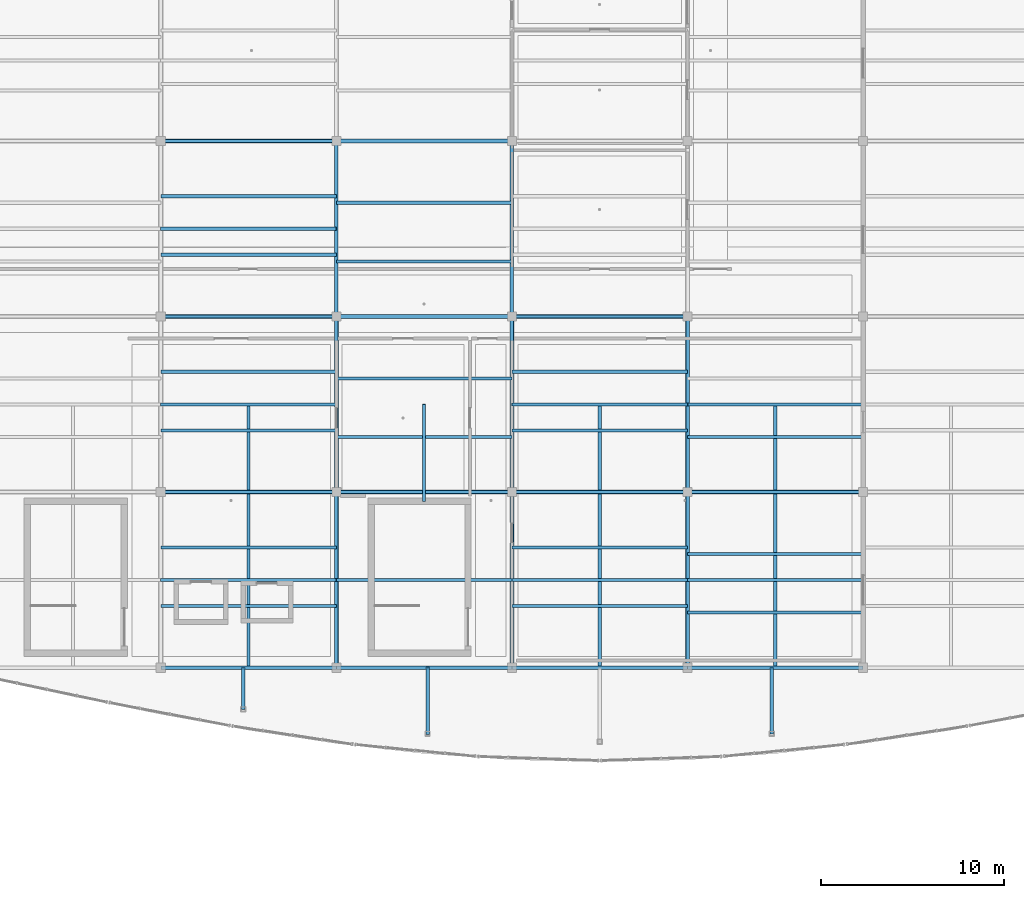
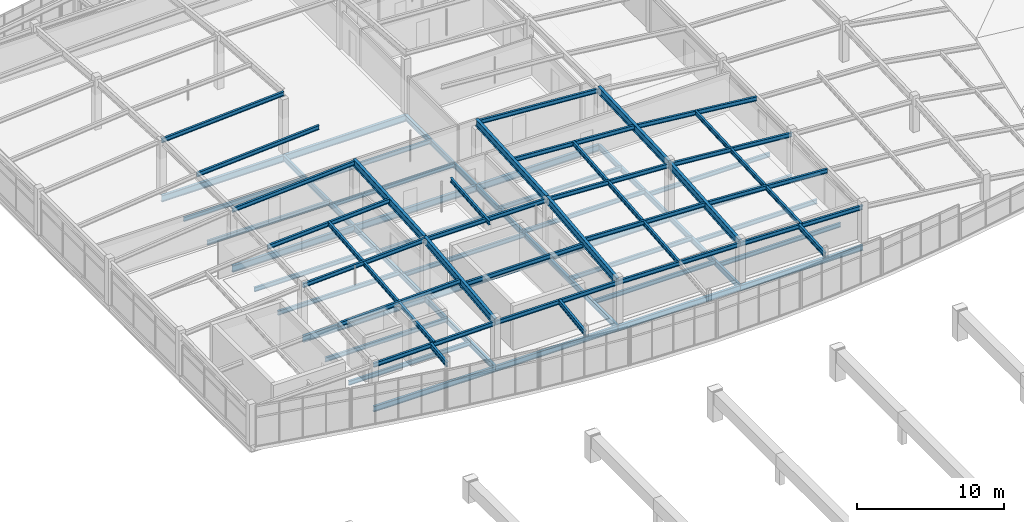
# One storey, part 39 of 65: 44 beams, 26 members.
"""IFC4 building model written with IfcOpenShell, lengths in metres."""

from ifc_helpers import new_model, si_unit, direction, frame, origin, origin_2d, place, context, subcontext, project, spatial, i_section, extrude, material, material_profile, profile_set, type_object, element, save


model = new_model("IFC4")

# Units and contexts
model_context = context("Model", 3, precision=1e-05, world=origin(), true_north=direction((0.0, 1.0)))
body_context = subcontext(model_context, "Body", "Model", "MODEL_VIEW")
ifc_project = project(units=[si_unit("LENGTHUNIT", "METRE"), si_unit("AREAUNIT", "SQUARE_METRE"), si_unit("VOLUMEUNIT", "CUBIC_METRE"), si_unit("PLANEANGLEUNIT", "RADIAN"), si_unit("MASSUNIT", "GRAM", prefix="KILO")], contexts=[model_context])

# Site, building, storey
site_placement = place(None, origin())
site = spatial("IfcSite", under=ifc_project, at=site_placement, CompositionType="ELEMENT")
building_placement = place(site_placement, origin())
building = spatial("IfcBuilding", under=site, at=building_placement, Name="Chalmorin Arch Market", CompositionType="ELEMENT")
storey_placement = place(building_placement, frame((0.0, 0.0, 14.10009765625)))
storey = spatial("IfcBuildingStorey", under=building, at=storey_placement, Name="L03", CompositionType="ELEMENT", Elevation=14.10009765625)

# Beams
ifc_material = material(Name="Steel A992 Grade 50", Category="steel")
ifc_material_profile_1 = material_profile(ifc_material, i_section(OverallWidth=0.19091796875, OverallDepth=0.45703125, WebThickness=0.009033203125, FlangeThickness=0.014404296875, FilletRadius=0.02001953125, at=origin_2d()), Name="W18X50")
ifc_profile_set_1 = profile_set([ifc_material_profile_1], Name="Steel A992 Grade 50")
beam_type_1 = type_object("IfcBeamType", Name="FloorSteelBeam-W18X50", PredefinedType="BEAM", material=ifc_profile_set_1)
beam_1_placement = place(storey_placement, frame((67.199951171875, 72.0, -0.510498046875), z_axis=(0.0, 1.0, 0.0), x_axis=(-1.0, 0.0, 0.0)))
element("IfcBeam", 1, at=beam_1_placement, inside=storey, type_object=beam_type_1, Name="BM-W18B-1395", PredefinedType="BEAM", context=body_context, shape_type="SweptSolid", body=[
    extrude(i_section(OverallWidth=0.19091796875, OverallDepth=0.45703125, WebThickness=0.009033203125, FlangeThickness=0.014404296875, FilletRadius=0.02001953125, at=origin_2d()), origin(), (0.0, 0.0, 1.0), 9.60009765625),
])
beam_2_placement = place(storey_placement, frame((67.199951171875, 81.60009765625, -0.470703125), z_axis=(0.0, 1.0, 0.0), x_axis=(-1.0, 0.0, 0.0)))
element("IfcBeam", 2, at=beam_2_placement, inside=storey, type_object=beam_type_1, Name="BM-W18B-1397", PredefinedType="BEAM", context=body_context, shape_type="SweptSolid", body=[
    extrude(i_section(OverallWidth=0.19091796875, OverallDepth=0.45703125, WebThickness=0.009033203125, FlangeThickness=0.014404296875, FilletRadius=0.02001953125, at=origin_2d()), origin(), (0.0, 0.0, 1.0), 9.599853515625),
])
for number, where, z_axis, x_axis, name in (
    (3, (67.199951171875, 91.199951171875, -0.470703125), (0.0, 1.0, 0.0), (-1.0, 0.0, 0.0), "BM-W18B-1399"),
    (4, (76.800048828125, 72.0, -0.510498046875), (0.0, 1.0, 0.0), (-1.0, 0.0, 0.0), "BM-W18B-1406"),
):
    element("IfcBeam", number, at=place(storey_placement, frame(where, z_axis=z_axis, x_axis=x_axis)), inside=storey, type_object=beam_type_1, Name=name, PredefinedType="BEAM", context=body_context, shape_type="SweptSolid", body=[
        extrude(i_section(OverallWidth=0.19091796875, OverallDepth=0.45703125, WebThickness=0.009033203125, FlangeThickness=0.014404296875, FilletRadius=0.02001953125, at=origin_2d()), origin(), (0.0, 0.0, 1.0), 9.60009765625),
    ])
beam_3_placement = place(storey_placement, frame((76.800048828125, 81.60009765625, -0.470703125), z_axis=(0.0, 1.0, 0.0), x_axis=(-1.0, 0.0, 0.0)))
element("IfcBeam", 5, at=beam_3_placement, inside=storey, type_object=beam_type_1, Name="BM-W18B-1408", PredefinedType="BEAM", context=body_context, shape_type="SweptSolid", body=[
    extrude(i_section(OverallWidth=0.19091796875, OverallDepth=0.45703125, WebThickness=0.009033203125, FlangeThickness=0.014404296875, FilletRadius=0.02001953125, at=origin_2d()), origin(), (0.0, 0.0, 1.0), 9.599853515625),
])
for number, where, z_axis, x_axis, name in (
    (6, (76.800048828125, 91.199951171875, -0.470703125), (0.0, 1.0, 0.0), (-1.0, 0.0, 0.0), "BM-W18B-1410"),
    (7, (86.39990234375, 72.0, -0.510498046875), (0.0, 1.0, 0.0), (-1.0, 0.0, 0.0), "BM-W18B-1417"),
):
    element("IfcBeam", number, at=place(storey_placement, frame(where, z_axis=z_axis, x_axis=x_axis)), inside=storey, type_object=beam_type_1, Name=name, PredefinedType="BEAM", context=body_context, shape_type="SweptSolid", body=[
        extrude(i_section(OverallWidth=0.19091796875, OverallDepth=0.45703125, WebThickness=0.009033203125, FlangeThickness=0.014404296875, FilletRadius=0.02001953125, at=origin_2d()), origin(), (0.0, 0.0, 1.0), 9.60009765625),
    ])
beam_4_placement = place(storey_placement, frame((86.39990234375, 81.60009765625, -0.470703125), z_axis=(0.0, 1.0, 0.0), x_axis=(-1.0, 0.0, 0.0)))
element("IfcBeam", 8, at=beam_4_placement, inside=storey, type_object=beam_type_1, Name="BM-W18B-1419", PredefinedType="BEAM", context=body_context, shape_type="SweptSolid", body=[
    extrude(i_section(OverallWidth=0.19091796875, OverallDepth=0.45703125, WebThickness=0.009033203125, FlangeThickness=0.014404296875, FilletRadius=0.02001953125, at=origin_2d()), origin(), (0.0, 0.0, 1.0), 9.599853515625),
])
ifc_material_profile_2 = material_profile(ifc_material, i_section(OverallWidth=0.19091796875, OverallDepth=0.45703125, WebThickness=0.009033203125, FlangeThickness=0.014404296875, FilletRadius=0.02001953125, at=origin_2d()), Name="W18X50")
ifc_profile_set_2 = profile_set([ifc_material_profile_2], Name="Steel A992 Grade 50")
beam_type_2 = type_object("IfcBeamType", Name="PerimeterSpandrelBeam-W18X50", PredefinedType="SPANDREL", material=ifc_profile_set_2)
beam_5_placement = place(storey_placement, frame((57.60009765625, 72.0, -0.510498046875), z_axis=(1.0, 0.0, 0.0), x_axis=(0.0, 1.0, 0.0)))
element("IfcBeam", 9, at=beam_5_placement, inside=storey, type_object=beam_type_2, Name="SP-W18-1393", PredefinedType="SPANDREL", context=body_context, shape_type="SweptSolid", body=[
    extrude(i_section(OverallWidth=0.19091796875, OverallDepth=0.45703125, WebThickness=0.009033203125, FlangeThickness=0.014404296875, FilletRadius=0.02001953125, at=origin_2d()), origin(), (0.0, 0.0, 1.0), 9.599853515625),
])
beam_6_placement = place(storey_placement, frame((67.199951171875, 72.0, -0.510498046875), z_axis=(1.0, 0.0, 0.0), x_axis=(0.0, 1.0, 0.0)))
element("IfcBeam", 10, at=beam_6_placement, inside=storey, type_object=beam_type_2, Name="SP-W18-1404", PredefinedType="SPANDREL", context=body_context, shape_type="SweptSolid", body=[
    extrude(i_section(OverallWidth=0.19091796875, OverallDepth=0.45703125, WebThickness=0.009033203125, FlangeThickness=0.014404296875, FilletRadius=0.02001953125, at=origin_2d()), origin(), (0.0, 0.0, 1.0), 9.60009765625),
])
beam_7_placement = place(storey_placement, frame((76.800048828125, 72.0, -0.510498046875), z_axis=(1.0, 0.0, 0.0), x_axis=(0.0, 1.0, 0.0)))
element("IfcBeam", 11, at=beam_7_placement, inside=storey, type_object=beam_type_2, Name="SP-W18-1415", PredefinedType="SPANDREL", context=body_context, shape_type="SweptSolid", body=[
    extrude(i_section(OverallWidth=0.19091796875, OverallDepth=0.45703125, WebThickness=0.009033203125, FlangeThickness=0.014404296875, FilletRadius=0.02001953125, at=origin_2d()), origin(), (0.0, 0.0, 1.0), 9.599853515625),
])
beam_8_placement = place(storey_placement, frame((86.39990234375, 72.0, -0.530517578125), z_axis=(1.0, 0.0, 0.0), x_axis=(0.0, 1.0, 0.0)))
element("IfcBeam", 12, at=beam_8_placement, inside=storey, type_object=beam_type_2, Name="SP-W18-1426", PredefinedType="SPANDREL", context=body_context, shape_type="SweptSolid", body=[
    extrude(i_section(OverallWidth=0.19091796875, OverallDepth=0.45703125, WebThickness=0.009033203125, FlangeThickness=0.014404296875, FilletRadius=0.02001953125, at=origin_2d()), origin(), (0.0, 0.0, 1.0), 9.60009765625),
])
ifc_material_profile_3 = material_profile(ifc_material, i_section(OverallWidth=0.2119140625, OverallDepth=0.5439453125, WebThickness=0.01318359375, FlangeThickness=0.021240234375, FilletRadius=0.02197265625, at=origin_2d()), Name="W21X83")
ifc_profile_set_3 = profile_set([ifc_material_profile_3], Name="Steel A992 Grade 50")
beam_type_3 = type_object("IfcBeamType", Name="PrimarySteelGirder-W21X83", PredefinedType="BEAM", material=ifc_profile_set_3)
for number, where, z_axis, x_axis, name in (
    (13, (57.60009765625, 81.60009765625, -0.51416015625), (1.0, 0.0, 0.0), (0.0, 1.0, 0.0), "BG-W21A-1394"),
    (14, (57.60009765625, 91.199951171875, -0.51416015625), (1.0, 0.0, 0.0), (0.0, 1.0, 0.0), "BG-W21A-1396"),
    (15, (57.60009765625, 100.800048828125, -0.51416015625), (1.0, 0.0, 0.0), (0.0, 1.0, 0.0), "BG-W21A-1398"),
):
    element("IfcBeam", number, at=place(storey_placement, frame(where, z_axis=z_axis, x_axis=x_axis)), inside=storey, type_object=beam_type_3, Name=name, PredefinedType="BEAM", context=body_context, shape_type="SweptSolid", body=[
        extrude(i_section(OverallWidth=0.2119140625, OverallDepth=0.5439453125, WebThickness=0.01318359375, FlangeThickness=0.021240234375, FilletRadius=0.02197265625, at=origin_2d()), origin(), (0.0, 0.0, 1.0), 9.599853515625),
    ])
for number, where, z_axis, x_axis, name in (
    (16, (67.199951171875, 81.60009765625, -0.51416015625), (1.0, 0.0, 0.0), (0.0, 1.0, 0.0), "BG-W21A-1405"),
    (17, (67.199951171875, 91.199951171875, -0.51416015625), (1.0, 0.0, 0.0), (0.0, 1.0, 0.0), "BG-W21A-1407"),
    (18, (67.199951171875, 100.800048828125, -0.51416015625), (1.0, 0.0, 0.0), (0.0, 1.0, 0.0), "BG-W21A-1409"),
):
    element("IfcBeam", number, at=place(storey_placement, frame(where, z_axis=z_axis, x_axis=x_axis)), inside=storey, type_object=beam_type_3, Name=name, PredefinedType="BEAM", context=body_context, shape_type="SweptSolid", body=[
        extrude(i_section(OverallWidth=0.2119140625, OverallDepth=0.5439453125, WebThickness=0.01318359375, FlangeThickness=0.021240234375, FilletRadius=0.02197265625, at=origin_2d()), origin(), (0.0, 0.0, 1.0), 9.60009765625),
    ])
for number, where, z_axis, x_axis, name in (
    (19, (76.800048828125, 81.60009765625, -0.51416015625), (1.0, 0.0, 0.0), (0.0, 1.0, 0.0), "BG-W21A-1416"),
    (20, (76.800048828125, 91.199951171875, -0.51416015625), (1.0, 0.0, 0.0), (0.0, 1.0, 0.0), "BG-W21A-1418"),
):
    element("IfcBeam", number, at=place(storey_placement, frame(where, z_axis=z_axis, x_axis=x_axis)), inside=storey, type_object=beam_type_3, Name=name, PredefinedType="BEAM", context=body_context, shape_type="SweptSolid", body=[
        extrude(i_section(OverallWidth=0.2119140625, OverallDepth=0.5439453125, WebThickness=0.01318359375, FlangeThickness=0.021240234375, FilletRadius=0.02197265625, at=origin_2d()), origin(), (0.0, 0.0, 1.0), 9.599853515625),
    ])
beam_9_placement = place(storey_placement, frame((86.39990234375, 81.60009765625, -0.57421875), z_axis=(1.0, 0.0, 0.0), x_axis=(0.0, 1.0, 0.0)))
element("IfcBeam", 21, at=beam_9_placement, inside=storey, type_object=beam_type_3, Name="BG-W21A-1427", PredefinedType="BEAM", context=body_context, shape_type="SweptSolid", body=[
    extrude(i_section(OverallWidth=0.2119140625, OverallDepth=0.5439453125, WebThickness=0.01318359375, FlangeThickness=0.021240234375, FilletRadius=0.02197265625, at=origin_2d()), origin(), (0.0, 0.0, 1.0), 9.60009765625),
])
ifc_material_profile_4 = material_profile(ifc_material, i_section(OverallWidth=0.22802734375, OverallDepth=0.60791015625, WebThickness=0.01123046875, FlangeThickness=0.017333984375, FilletRadius=0.02392578125, at=origin_2d()), Name="W24X76")
ifc_profile_set_4 = profile_set([ifc_material_profile_4], Name="Steel A992 Grade 50")
beam_type_4 = type_object("IfcBeamType", Name="PrimarySteelGirder-W24X76", PredefinedType="BEAM", material=ifc_profile_set_4)
beam_10_placement = place(storey_placement, frame((67.199951171875, 72.0, 3.32080078125), z_axis=(0.0, 0.993947684773, 0.109854448859), x_axis=(-1.0, 0.0, 0.0)))
element("IfcBeam", 22, at=beam_10_placement, inside=storey, type_object=beam_type_4, Name="BG-W24B-1555", PredefinedType="BEAM", context=body_context, shape_type="SweptSolid", body=[
    extrude(i_section(OverallWidth=0.22802734375, OverallDepth=0.60791015625, WebThickness=0.01123046875, FlangeThickness=0.017333984375, FilletRadius=0.02392578125, at=origin_2d()), origin(), (0.0, 0.0, 1.0), 9.658447265625),
])
beam_11_placement = place(storey_placement, frame((67.199951171875, 81.60009765625, 4.3818359375), z_axis=(0.0, 0.998179350023, 0.060315712613), x_axis=(-1.0, 0.0, 0.0)))
element("IfcBeam", 23, at=beam_11_placement, inside=storey, type_object=beam_type_4, Name="BG-W24B-1556", PredefinedType="BEAM", context=body_context, shape_type="SweptSolid", body=[
    extrude(i_section(OverallWidth=0.22802734375, OverallDepth=0.60791015625, WebThickness=0.01123046875, FlangeThickness=0.017333984375, FilletRadius=0.02392578125, at=origin_2d()), origin(), (0.0, 0.0, 1.0), 9.617431640625),
])
beam_12_placement = place(storey_placement, frame((76.800048828125, 72.0, 3.310791015625), z_axis=(0.0, 0.994171945566, 0.107806041806), x_axis=(-1.0, 0.0, 0.0)))
element("IfcBeam", 24, at=beam_12_placement, inside=storey, type_object=beam_type_4, Name="BG-W24B-1560", PredefinedType="BEAM", context=body_context, shape_type="SweptSolid", body=[
    extrude(i_section(OverallWidth=0.22802734375, OverallDepth=0.60791015625, WebThickness=0.01123046875, FlangeThickness=0.017333984375, FilletRadius=0.02392578125, at=origin_2d()), origin(), (0.0, 0.0, 1.0), 9.656494140625),
])
beam_13_placement = place(storey_placement, frame((76.800048828125, 81.60009765625, 4.351806640625), z_axis=(0.0, 0.998247481501, 0.059177408494), x_axis=(-1.0, 0.0, 0.0)))
element("IfcBeam", 25, at=beam_13_placement, inside=storey, type_object=beam_type_4, Name="BG-W24B-1561", PredefinedType="BEAM", context=body_context, shape_type="SweptSolid", body=[
    extrude(i_section(OverallWidth=0.22802734375, OverallDepth=0.60791015625, WebThickness=0.01123046875, FlangeThickness=0.017333984375, FilletRadius=0.02392578125, at=origin_2d()), origin(), (0.0, 0.0, 1.0), 9.61669921875),
])
beam_14_placement = place(storey_placement, frame((86.39990234375, 72.0, 3.135009765625), z_axis=(0.0, 0.997146391333, 0.075492213188), x_axis=(-1.0, 0.0, 0.0)))
element("IfcBeam", 26, at=beam_14_placement, inside=storey, type_object=beam_type_4, Name="BG-W24B-1565", PredefinedType="BEAM", context=body_context, shape_type="SweptSolid", body=[
    extrude(i_section(OverallWidth=0.22802734375, OverallDepth=0.60791015625, WebThickness=0.01123046875, FlangeThickness=0.017333984375, FilletRadius=0.02392578125, at=origin_2d()), origin(), (0.0, 0.0, 1.0), 9.627685546875),
])
beam_15_placement = place(storey_placement, frame((86.39990234375, 81.60009765625, 3.86181640625), z_axis=(0.0, 0.999146103099, 0.041316639039), x_axis=(-1.0, 0.0, 0.0)))
element("IfcBeam", 27, at=beam_15_placement, inside=storey, type_object=beam_type_4, Name="BG-W24B-1566", PredefinedType="BEAM", context=body_context, shape_type="SweptSolid", body=[
    extrude(i_section(OverallWidth=0.22802734375, OverallDepth=0.60791015625, WebThickness=0.01123046875, FlangeThickness=0.017333984375, FilletRadius=0.02392578125, at=origin_2d()), origin(), (0.0, 0.0, 1.0), 9.608154296875),
])

# Members
ifc_material_profile_5 = material_profile(ifc_material, i_section(OverallWidth=0.1708984375, OverallDepth=0.35107421875, WebThickness=0.0068359375, FlangeThickness=0.009765625, FilletRadius=0.014892578125, at=origin_2d()), Name="W14X30")
ifc_profile_set_5 = profile_set([ifc_material_profile_5], Name="Steel A992 Grade 50")
member_type_1 = type_object("IfcMemberType", Name="RoofSteelPurlin-W14X30", PredefinedType="PURLIN", material=ifc_profile_set_5)
member_1_placement = place(storey_placement, frame((62.39990234375, 72.0, 3.221923828125), z_axis=(0.0, 0.996054516147, 0.088743455331), x_axis=(-1.0, 0.0, 0.0)))
element("IfcMember", 28, at=member_1_placement, inside=storey, type_object=member_type_1, Name="PR-W14-0043", PredefinedType="PURLIN", context=body_context, shape_type="SweptSolid", body=[
    extrude(i_section(OverallWidth=0.1708984375, OverallDepth=0.35107421875, WebThickness=0.0068359375, FlangeThickness=0.009765625, FilletRadius=0.014892578125, at=origin_2d()), origin(), (0.0, 0.0, 1.0), 14.45703125),
])
member_2_placement = place(storey_placement, frame((72.0, 81.10009765625, 4.3408203125), z_axis=(0.0, 0.996843105731, 0.079396615525), x_axis=(-1.0, 0.0, 0.0)))
element("IfcMember", 29, at=member_2_placement, inside=storey, type_object=member_type_1, Name="PR-W14-0044", PredefinedType="PURLIN", context=body_context, shape_type="SweptSolid", body=[
    extrude(i_section(OverallWidth=0.1708984375, OverallDepth=0.35107421875, WebThickness=0.0068359375, FlangeThickness=0.009765625, FilletRadius=0.014892578125, at=origin_2d()), origin(), (0.0, 0.0, 1.0), 5.316650390625),
])
member_3_placement = place(storey_placement, frame((81.60009765625, 72.0, 3.200927734375), z_axis=(0.0, 0.996354693889, 0.085307232785), x_axis=(-1.0, 0.0, 0.0)))
element("IfcMember", 30, at=member_3_placement, inside=storey, type_object=member_type_1, Name="PR-W14-0045", PredefinedType="PURLIN", context=body_context, shape_type="SweptSolid", body=[
    extrude(i_section(OverallWidth=0.1708984375, OverallDepth=0.35107421875, WebThickness=0.0068359375, FlangeThickness=0.009765625, FilletRadius=0.014892578125, at=origin_2d()), origin(), (0.0, 0.0, 1.0), 14.45263671875),
])
member_4_placement = place(storey_placement, frame((91.199951171875, 72.0, 2.9599609375), z_axis=(0.0, 0.998980032204, 0.045154127799), x_axis=(-1.0, 0.0, 0.0)))
element("IfcMember", 31, at=member_4_placement, inside=storey, type_object=member_type_1, Name="PR-W14-0046", PredefinedType="PURLIN", context=body_context, shape_type="SweptSolid", body=[
    extrude(i_section(OverallWidth=0.1708984375, OverallDepth=0.35107421875, WebThickness=0.0068359375, FlangeThickness=0.009765625, FilletRadius=0.014892578125, at=origin_2d()), origin(), (0.0, 0.0, 1.0), 14.41455078125),
])
member_5_placement = place(storey_placement, frame((57.60009765625, 72.0, 3.125), z_axis=(0.99986798095, 0.0, 0.016248712897), x_axis=(0.0, 1.0, 0.0)))
element("IfcMember", 32, at=member_5_placement, inside=storey, type_object=member_type_1, Name="PR-W14-0050", PredefinedType="PURLIN", context=body_context, shape_type="SweptSolid", body=[
    extrude(i_section(OverallWidth=0.1708984375, OverallDepth=0.35107421875, WebThickness=0.0068359375, FlangeThickness=0.009765625, FilletRadius=0.014892578125, at=origin_2d()), origin(), (0.0, 0.0, 1.0), 9.60107421875),
])
member_6_placement = place(storey_placement, frame((67.199951171875, 72.0, 3.281005859375), z_axis=(0.999999456417, 0.0, -0.001042672746), x_axis=(0.0, 1.0, 0.0)))
element("IfcMember", 33, at=member_6_placement, inside=storey, type_object=member_type_1, Name="PR-W14-0051", PredefinedType="PURLIN", context=body_context, shape_type="SweptSolid", body=[
    extrude(i_section(OverallWidth=0.1708984375, OverallDepth=0.35107421875, WebThickness=0.0068359375, FlangeThickness=0.009765625, FilletRadius=0.014892578125, at=origin_2d()), origin(), (0.0, 0.0, 1.0), 9.60009765625),
])
member_7_placement = place(storey_placement, frame((76.800048828125, 72.0, 3.27099609375), z_axis=(0.999831933201, 0.0, -0.018333176263), x_axis=(0.0, 1.0, 0.0)))
element("IfcMember", 34, at=member_7_placement, inside=storey, type_object=member_type_1, Name="PR-W14-0052", PredefinedType="PURLIN", context=body_context, shape_type="SweptSolid", body=[
    extrude(i_section(OverallWidth=0.1708984375, OverallDepth=0.35107421875, WebThickness=0.0068359375, FlangeThickness=0.009765625, FilletRadius=0.014892578125, at=origin_2d()), origin(), (0.0, 0.0, 1.0), 9.6015625),
])
member_8_placement = place(storey_placement, frame((86.39990234375, 72.0, 3.094970703125), z_axis=(0.999543926851, 0.0, -0.030198316085), x_axis=(0.0, 1.0, 0.0)))
element("IfcMember", 35, at=member_8_placement, inside=storey, type_object=member_type_1, Name="PR-W14-0053", PredefinedType="PURLIN", context=body_context, shape_type="SweptSolid", body=[
    extrude(i_section(OverallWidth=0.1708984375, OverallDepth=0.35107421875, WebThickness=0.0068359375, FlangeThickness=0.009765625, FilletRadius=0.014892578125, at=origin_2d()), origin(), (0.0, 0.0, 1.0), 9.6044921875),
])
member_9_placement = place(storey_placement, frame((57.60009765625, 76.800048828125, 3.546875), z_axis=(0.999485359161, 0.0, 0.03207829209), x_axis=(0.0, 1.0, 0.0)))
element("IfcMember", 36, at=member_9_placement, inside=storey, type_object=member_type_1, Name="PR-W14-0057", PredefinedType="PURLIN", context=body_context, shape_type="SweptSolid", body=[
    extrude(i_section(OverallWidth=0.1708984375, OverallDepth=0.35107421875, WebThickness=0.0068359375, FlangeThickness=0.009765625, FilletRadius=0.014892578125, at=origin_2d()), origin(), (0.0, 0.0, 1.0), 9.604736328125),
])
member_10_placement = place(storey_placement, frame((67.199951171875, 76.800048828125, 3.43994140625), z_axis=(1.0, 0.0, 0.0), x_axis=(0.0, 1.0, 0.0)))
element("IfcMember", 37, at=member_10_placement, inside=storey, type_object=member_type_1, Name="PR-W14-0058", PredefinedType="PURLIN", context=body_context, shape_type="SweptSolid", body=[
    extrude(i_section(OverallWidth=0.1708984375, OverallDepth=0.35107421875, WebThickness=0.0068359375, FlangeThickness=0.009765625, FilletRadius=0.014892578125, at=origin_2d()), origin(), (0.0, 0.0, 1.0), 9.60009765625),
])
member_11_placement = place(storey_placement, frame((76.800048828125, 76.800048828125, 3.833984375), z_axis=(0.999350394016, 0.0, -0.036038728891), x_axis=(0.0, 1.0, 0.0)))
element("IfcMember", 38, at=member_11_placement, inside=storey, type_object=member_type_1, Name="PR-W14-0059", PredefinedType="PURLIN", context=body_context, shape_type="SweptSolid", body=[
    extrude(i_section(OverallWidth=0.1708984375, OverallDepth=0.35107421875, WebThickness=0.0068359375, FlangeThickness=0.009765625, FilletRadius=0.014892578125, at=origin_2d()), origin(), (0.0, 0.0, 1.0), 9.606201171875),
])
member_12_placement = place(storey_placement, frame((86.39990234375, 76.800048828125, 3.48779296875), z_axis=(0.998237057355, 0.0, -0.059352989169), x_axis=(0.0, 1.0, 0.0)))
element("IfcMember", 39, at=member_12_placement, inside=storey, type_object=member_type_1, Name="PR-W14-0060", PredefinedType="PURLIN", context=body_context, shape_type="SweptSolid", body=[
    extrude(i_section(OverallWidth=0.1708984375, OverallDepth=0.35107421875, WebThickness=0.0068359375, FlangeThickness=0.009765625, FilletRadius=0.014892578125, at=origin_2d()), origin(), (0.0, 0.0, 1.0), 9.616943359375),
])
member_13_placement = place(storey_placement, frame((57.60009765625, 81.60009765625, 3.90478515625), z_axis=(0.998965447344, 0.0, 0.045475652978), x_axis=(0.0, 1.0, 0.0)))
element("IfcMember", 40, at=member_13_placement, inside=storey, type_object=member_type_1, Name="PR-W14-0064", PredefinedType="PURLIN", context=body_context, shape_type="SweptSolid", body=[
    extrude(i_section(OverallWidth=0.1708984375, OverallDepth=0.35107421875, WebThickness=0.0068359375, FlangeThickness=0.009765625, FilletRadius=0.014892578125, at=origin_2d()), origin(), (0.0, 0.0, 1.0), 9.60986328125),
])
member_14_placement = place(storey_placement, frame((67.199951171875, 81.60009765625, 4.341796875), z_axis=(0.999995187006, 0.0, -0.003102573949), x_axis=(0.0, 1.0, 0.0)))
element("IfcMember", 41, at=member_14_placement, inside=storey, type_object=member_type_1, Name="PR-W14-0065", PredefinedType="PURLIN", context=body_context, shape_type="SweptSolid", body=[
    extrude(i_section(OverallWidth=0.1708984375, OverallDepth=0.35107421875, WebThickness=0.0068359375, FlangeThickness=0.009765625, FilletRadius=0.014892578125, at=origin_2d()), origin(), (0.0, 0.0, 1.0), 9.60009765625),
])
member_15_placement = place(storey_placement, frame((76.800048828125, 81.60009765625, 4.31201171875), z_axis=(0.998699925992, 0.0, -0.05097507061), x_axis=(0.0, 1.0, 0.0)))
element("IfcMember", 42, at=member_15_placement, inside=storey, type_object=member_type_1, Name="PR-W14-0066", PredefinedType="PURLIN", context=body_context, shape_type="SweptSolid", body=[
    extrude(i_section(OverallWidth=0.1708984375, OverallDepth=0.35107421875, WebThickness=0.0068359375, FlangeThickness=0.009765625, FilletRadius=0.014892578125, at=origin_2d()), origin(), (0.0, 0.0, 1.0), 9.6123046875),
])
member_16_placement = place(storey_placement, frame((86.39990234375, 81.60009765625, 3.822021484375), z_axis=(0.996458885553, 0.0, -0.08408144505), x_axis=(0.0, 1.0, 0.0)))
element("IfcMember", 43, at=member_16_placement, inside=storey, type_object=member_type_1, Name="PR-W14-0067", PredefinedType="PURLIN", context=body_context, shape_type="SweptSolid", body=[
    extrude(i_section(OverallWidth=0.1708984375, OverallDepth=0.35107421875, WebThickness=0.0068359375, FlangeThickness=0.009765625, FilletRadius=0.014892578125, at=origin_2d()), origin(), (0.0, 0.0, 1.0), 9.63427734375),
])
member_17_placement = place(storey_placement, frame((57.60009765625, 86.39990234375, 4.1728515625), z_axis=(0.998456835321, 0.0, 0.055533305329), x_axis=(0.0, 1.0, 0.0)))
element("IfcMember", 44, at=member_17_placement, inside=storey, type_object=member_type_1, Name="PR-W14-0071", PredefinedType="PURLIN", context=body_context, shape_type="SweptSolid", body=[
    extrude(i_section(OverallWidth=0.1708984375, OverallDepth=0.35107421875, WebThickness=0.0068359375, FlangeThickness=0.009765625, FilletRadius=0.014892578125, at=origin_2d()), origin(), (0.0, 0.0, 1.0), 9.61474609375),
])
member_18_placement = place(storey_placement, frame((76.800048828125, 86.39990234375, 4.669921875), z_axis=(0.998066085763, 0.0, -0.062161792529), x_axis=(0.0, 1.0, 0.0)))
element("IfcMember", 45, at=member_18_placement, inside=storey, type_object=member_type_1, Name="PR-W14-0073", PredefinedType="PURLIN", context=body_context, shape_type="SweptSolid", body=[
    extrude(i_section(OverallWidth=0.1708984375, OverallDepth=0.35107421875, WebThickness=0.0068359375, FlangeThickness=0.009765625, FilletRadius=0.014892578125, at=origin_2d()), origin(), (0.0, 0.0, 1.0), 9.618408203125),
])
member_19_placement = place(storey_placement, frame((86.39990234375, 86.39990234375, 4.072021484375), z_axis=(0.994735186386, 0.0, -0.102478822035), x_axis=(0.0, 1.0, 0.0)))
element("IfcMember", 46, at=member_19_placement, inside=storey, type_object=member_type_1, Name="PR-W14-0074", PredefinedType="PURLIN", context=body_context, shape_type="SweptSolid", body=[
    extrude(i_section(OverallWidth=0.1708984375, OverallDepth=0.35107421875, WebThickness=0.0068359375, FlangeThickness=0.009765625, FilletRadius=0.014892578125, at=origin_2d()), origin(), (0.0, 0.0, 1.0), 9.65087890625),
])
member_20_placement = place(storey_placement, frame((57.60009765625, 91.199951171875, 4.330810546875), z_axis=(0.99810993019, 0.0, 0.061453781465), x_axis=(0.0, 1.0, 0.0)))
element("IfcMember", 47, at=member_20_placement, inside=storey, type_object=member_type_1, Name="PR-W14-0078", PredefinedType="PURLIN", context=body_context, shape_type="SweptSolid", body=[
    extrude(i_section(OverallWidth=0.1708984375, OverallDepth=0.35107421875, WebThickness=0.0068359375, FlangeThickness=0.009765625, FilletRadius=0.014892578125, at=origin_2d()), origin(), (0.0, 0.0, 1.0), 9.617919921875),
])
member_21_placement = place(storey_placement, frame((76.800048828125, 91.199951171875, 4.880859375), z_axis=(0.997631709391, 0.0, -0.068782064651), x_axis=(0.0, 1.0, 0.0)))
element("IfcMember", 48, at=member_21_placement, inside=storey, type_object=member_type_1, Name="PR-W14-0080", PredefinedType="PURLIN", context=body_context, shape_type="SweptSolid", body=[
    extrude(i_section(OverallWidth=0.1708984375, OverallDepth=0.35107421875, WebThickness=0.0068359375, FlangeThickness=0.009765625, FilletRadius=0.014892578125, at=origin_2d()), origin(), (0.0, 0.0, 1.0), 9.62255859375),
])
member_22_placement = place(storey_placement, frame((57.60009765625, 96.0, 4.367919921875), z_axis=(0.99803287543, 0.0, 0.062692739308), x_axis=(0.0, 1.0, 0.0)))
element("IfcMember", 49, at=member_22_placement, inside=storey, type_object=member_type_1, Name="PR-W14-0085", PredefinedType="PURLIN", context=body_context, shape_type="SweptSolid", body=[
    extrude(i_section(OverallWidth=0.1708984375, OverallDepth=0.35107421875, WebThickness=0.0068359375, FlangeThickness=0.009765625, FilletRadius=0.014892578125, at=origin_2d()), origin(), (0.0, 0.0, 1.0), 9.618896484375),
])
member_23_placement = place(storey_placement, frame((57.60009765625, 100.800048828125, 4.27978515625), z_axis=(0.998229439125, 0.0, 0.059480979016), x_axis=(0.0, 1.0, 0.0)))
element("IfcMember", 50, at=member_23_placement, inside=storey, type_object=member_type_1, Name="PR-W14-0092", PredefinedType="PURLIN", context=body_context, shape_type="SweptSolid", body=[
    extrude(i_section(OverallWidth=0.1708984375, OverallDepth=0.35107421875, WebThickness=0.0068359375, FlangeThickness=0.009765625, FilletRadius=0.014892578125, at=origin_2d()), origin(), (0.0, 0.0, 1.0), 9.616943359375),
])
ifc_material_profile_6 = material_profile(ifc_material, i_section(OverallWidth=0.178955078125, OverallDepth=0.409912109375, WebThickness=0.0087890625, FlangeThickness=0.014404296875, FilletRadius=0.01806640625, at=origin_2d()), Name="W16X45")
ifc_profile_set_6 = profile_set([ifc_material_profile_6], Name="Steel A992 Grade 50")
member_type_2 = type_object("IfcMemberType", Name="RoofSteelPurlin-W16X45", PredefinedType="PURLIN", material=ifc_profile_set_6)
member_24_placement = place(storey_placement, frame((62.112060546875, 69.73095703125, 2.9599609375), z_axis=(0.0, 0.993594892447, 0.113000839393), x_axis=(-1.0, 0.0, 0.0)))
element("IfcMember", 51, at=member_24_placement, inside=storey, type_object=member_type_2, Name="PR-W16-0128", PredefinedType="PURLIN", context=body_context, shape_type="SweptSolid", body=[
    extrude(i_section(OverallWidth=0.178955078125, OverallDepth=0.409912109375, WebThickness=0.0087890625, FlangeThickness=0.014404296875, FilletRadius=0.01806640625, at=origin_2d()), origin(), (0.0, 0.0, 1.0), 2.28369140625),
])
member_25_placement = place(storey_placement, frame((72.19189453125, 68.387939453125, 2.822021484375), z_axis=(0.0, 0.991434440654, 0.130605321043), x_axis=(-1.0, 0.0, 0.0)))
element("IfcMember", 52, at=member_25_placement, inside=storey, type_object=member_type_2, Name="PR-W16-0130", PredefinedType="PURLIN", context=body_context, shape_type="SweptSolid", body=[
    extrude(i_section(OverallWidth=0.178955078125, OverallDepth=0.409912109375, WebThickness=0.0087890625, FlangeThickness=0.014404296875, FilletRadius=0.01806640625, at=origin_2d()), origin(), (0.0, 0.0, 1.0), 3.643310546875),
])
member_26_placement = place(storey_placement, frame((91.008056640625, 68.387939453125, 2.75), z_axis=(0.0, 0.998219739101, 0.059643545074), x_axis=(-1.0, 0.0, 0.0)))
element("IfcMember", 53, at=member_26_placement, inside=storey, type_object=member_type_2, Name="PR-W16-0134", PredefinedType="PURLIN", context=body_context, shape_type="SweptSolid", body=[
    extrude(i_section(OverallWidth=0.178955078125, OverallDepth=0.409912109375, WebThickness=0.0087890625, FlangeThickness=0.014404296875, FilletRadius=0.01806640625, at=origin_2d()), origin(), (0.0, 0.0, 1.0), 3.618408203125),
])

# Beams
ifc_material_profile_7 = material_profile(ifc_material, i_section(OverallWidth=0.1708984375, OverallDepth=0.35107421875, WebThickness=0.0068359375, FlangeThickness=0.009765625, FilletRadius=0.014892578125, at=origin_2d()), Name="W14X30")
ifc_profile_set_7 = profile_set([ifc_material_profile_7], Name="Steel A992 Grade 50")
beam_type_5 = type_object("IfcBeamType", Name="SecondaryFloorJoist-W14X30", PredefinedType="JOIST", material=ifc_profile_set_7)
for number, where, z_axis, x_axis, name in (
    (54, (57.60009765625, 75.3798828125, -0.41748046875), (1.0, 0.0, 0.0), (0.0, 1.0, 0.0), "BJ-W14-1445"),
    (55, (57.60009765625, 78.580078125, -0.41748046875), (1.0, 0.0, 0.0), (0.0, 1.0, 0.0), "BJ-W14-1446"),
    (56, (57.60009765625, 84.97998046875, -0.41748046875), (1.0, 0.0, 0.0), (0.0, 1.0, 0.0), "BJ-W14-1447"),
    (57, (57.60009765625, 88.179931640625, -0.41748046875), (1.0, 0.0, 0.0), (0.0, 1.0, 0.0), "BJ-W14-1448"),
    (58, (57.60009765625, 94.580078125, -0.41748046875), (1.0, 0.0, 0.0), (0.0, 1.0, 0.0), "BJ-W14-1449"),
    (59, (57.60009765625, 97.780029296875, -0.41748046875), (1.0, 0.0, 0.0), (0.0, 1.0, 0.0), "BJ-W14-1450"),
):
    element("IfcBeam", number, at=place(storey_placement, frame(where, z_axis=z_axis, x_axis=x_axis)), inside=storey, type_object=beam_type_5, Name=name, PredefinedType="JOIST", context=body_context, shape_type="SweptSolid", body=[
        extrude(i_section(OverallWidth=0.1708984375, OverallDepth=0.35107421875, WebThickness=0.0068359375, FlangeThickness=0.009765625, FilletRadius=0.014892578125, at=origin_2d()), origin(), (0.0, 0.0, 1.0), 9.599853515625),
    ])
for number, where, z_axis, x_axis, name in (
    (60, (67.199951171875, 84.6201171875, -0.41748046875), (1.0, 0.0, 0.0), (0.0, 1.0, 0.0), "BJ-W14-1455"),
    (61, (67.199951171875, 87.820068359375, -0.41748046875), (1.0, 0.0, 0.0), (0.0, 1.0, 0.0), "BJ-W14-1456"),
    (62, (67.199951171875, 94.219970703125, -0.41748046875), (1.0, 0.0, 0.0), (0.0, 1.0, 0.0), "BJ-W14-1457"),
    (63, (67.199951171875, 97.419921875, -0.41748046875), (1.0, 0.0, 0.0), (0.0, 1.0, 0.0), "BJ-W14-1458"),
):
    element("IfcBeam", number, at=place(storey_placement, frame(where, z_axis=z_axis, x_axis=x_axis)), inside=storey, type_object=beam_type_5, Name=name, PredefinedType="JOIST", context=body_context, shape_type="SweptSolid", body=[
        extrude(i_section(OverallWidth=0.1708984375, OverallDepth=0.35107421875, WebThickness=0.0068359375, FlangeThickness=0.009765625, FilletRadius=0.014892578125, at=origin_2d()), origin(), (0.0, 0.0, 1.0), 9.60009765625),
    ])
for number, where, z_axis, x_axis, name in (
    (64, (76.800048828125, 75.3798828125, -0.41748046875), (1.0, 0.0, 0.0), (0.0, 1.0, 0.0), "BJ-W14-1463"),
    (65, (76.800048828125, 78.580078125, -0.41748046875), (1.0, 0.0, 0.0), (0.0, 1.0, 0.0), "BJ-W14-1464"),
    (66, (76.800048828125, 84.97998046875, -0.41748046875), (1.0, 0.0, 0.0), (0.0, 1.0, 0.0), "BJ-W14-1465"),
    (67, (76.800048828125, 88.179931640625, -0.41748046875), (1.0, 0.0, 0.0), (0.0, 1.0, 0.0), "BJ-W14-1466"),
):
    element("IfcBeam", number, at=place(storey_placement, frame(where, z_axis=z_axis, x_axis=x_axis)), inside=storey, type_object=beam_type_5, Name=name, PredefinedType="JOIST", context=body_context, shape_type="SweptSolid", body=[
        extrude(i_section(OverallWidth=0.1708984375, OverallDepth=0.35107421875, WebThickness=0.0068359375, FlangeThickness=0.009765625, FilletRadius=0.014892578125, at=origin_2d()), origin(), (0.0, 0.0, 1.0), 9.599853515625),
    ])
for number, where, z_axis, x_axis, name in (
    (68, (86.39990234375, 75.02001953125, -0.4775390625), (1.0, 0.0, 0.0), (0.0, 1.0, 0.0), "BJ-W14-1473"),
    (69, (86.39990234375, 78.219970703125, -0.4775390625), (1.0, 0.0, 0.0), (0.0, 1.0, 0.0), "BJ-W14-1474"),
    (70, (86.39990234375, 84.6201171875, -0.4775390625), (1.0, 0.0, 0.0), (0.0, 1.0, 0.0), "BJ-W14-1475"),
):
    element("IfcBeam", number, at=place(storey_placement, frame(where, z_axis=z_axis, x_axis=x_axis)), inside=storey, type_object=beam_type_5, Name=name, PredefinedType="JOIST", context=body_context, shape_type="SweptSolid", body=[
        extrude(i_section(OverallWidth=0.1708984375, OverallDepth=0.35107421875, WebThickness=0.0068359375, FlangeThickness=0.009765625, FilletRadius=0.014892578125, at=origin_2d()), origin(), (0.0, 0.0, 1.0), 9.60009765625),
    ])

save(model, "model.ifc")
